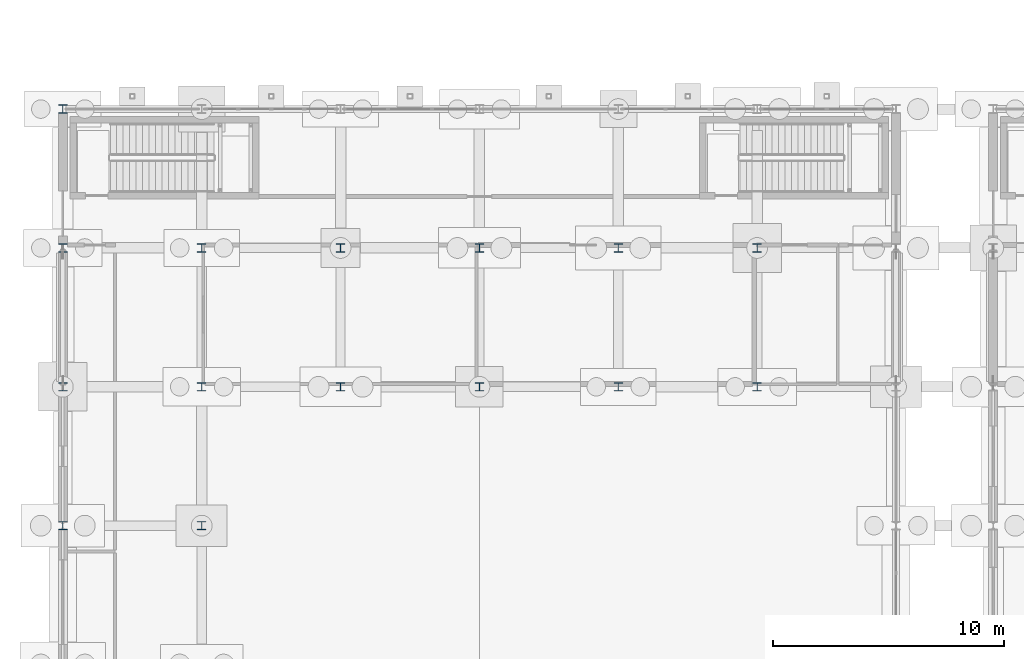
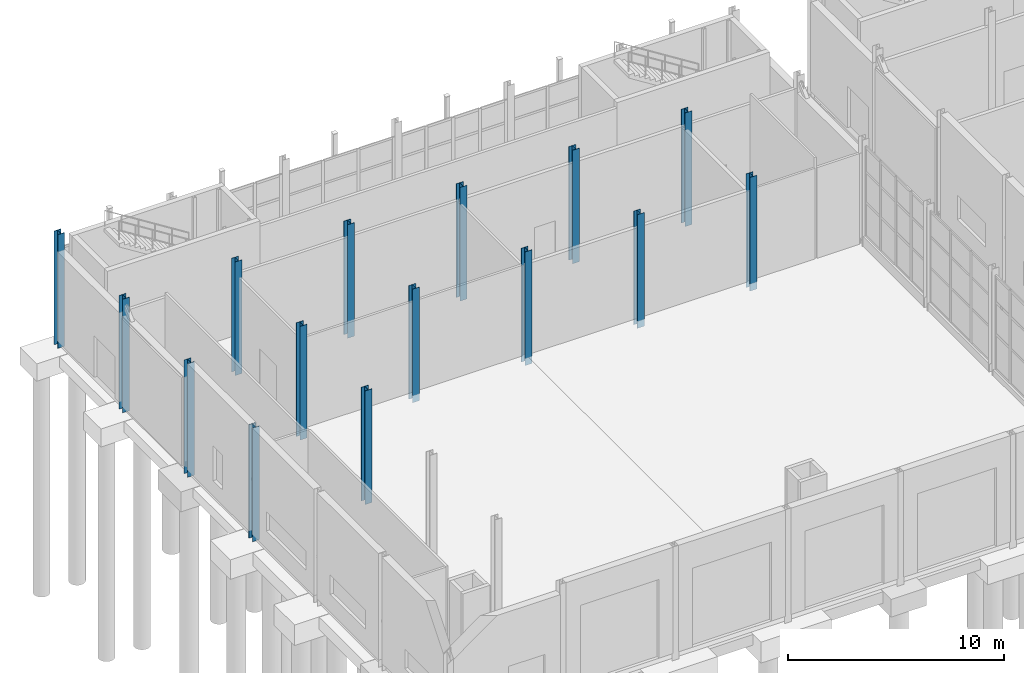
# One storey, part 11 of 120: 15 columns.
"""IFC4 building model written with IfcOpenShell, lengths in metres."""

from ifc_helpers import new_model, si_unit, direction, frame, origin, origin_2d, place, context, subcontext, project, spatial, i_section, extrude, material, material_profile, profile_set, type_object, element, save


model = new_model("IFC4")

# Units and contexts
model_context = context("Model", 3, precision=1e-05, world=origin(), true_north=direction((0.0, 1.0)))
body_context = subcontext(model_context, "Body", "Model", "MODEL_VIEW")
ifc_project = project(units=[si_unit("LENGTHUNIT", "METRE"), si_unit("AREAUNIT", "SQUARE_METRE"), si_unit("VOLUMEUNIT", "CUBIC_METRE"), si_unit("PLANEANGLEUNIT", "RADIAN"), si_unit("MASSUNIT", "GRAM", prefix="KILO")], contexts=[model_context])

# Site, building, storey
site_placement = place(None, origin())
site = spatial("IfcSite", under=ifc_project, at=site_placement, CompositionType="ELEMENT")
building_placement = place(site_placement, origin())
building = spatial("IfcBuilding", under=site, at=building_placement, Name="Siltcreek Boulevard Central Fire Station", CompositionType="ELEMENT")
storey_placement = place(building_placement, origin())
storey = spatial("IfcBuildingStorey", under=building, at=storey_placement, Name="L01", CompositionType="ELEMENT", Elevation=0.0)

# Columns
ifc_material = material(Name="Structural steel ASTM A992 Gr50", Category="steel")
ifc_material_profile = material_profile(ifc_material, i_section(OverallWidth=0.368896484375, OverallDepth=0.35595703125, WebThickness=0.01123046875, FlangeThickness=0.01806640625, at=origin_2d()), Name="W360X134")
ifc_profile_set = profile_set([ifc_material_profile], Name="Structural steel ASTM A992 Gr50")
column_type = type_object("IfcColumnType", Name="COL_W360X134", PredefinedType="COLUMN", material=ifc_profile_set)
for number, where, z_axis, x_axis, name in (
    (1, (1.800048828125, 36.0, -0.409912109375), (0.0, 0.0, 1.0), (1.0, 0.0, 0.0), "L01 structural column COLG-L01-18-360"),
    (2, (1.800048828125, 42.0, -0.409912109375), (0.0, 0.0, 1.0), (1.0, 0.0, 0.0), "L01 structural column COLG-L01-18-420"),
    (3, (1.800048828125, 48.0, -0.409912109375), (0.0, 0.0, 1.0), (1.0, 0.0, 0.0), "L01 structural column COLG-L01-18-480"),
    (4, (1.800048828125, 54.0, -0.409912109375), (0.0, 0.0, 1.0), (1.0, 0.0, 0.0), "L01 structural column COLG-L01-18-540"),
    (5, (7.800048828125, 36.0, -0.409912109375), (0.0, 0.0, 1.0), (1.0, 0.0, 0.0), "L01 structural column COLG-L01-78-360"),
    (6, (7.800048828125, 42.0, -0.409912109375), (0.0, 0.0, 1.0), (1.0, 0.0, 0.0), "L01 structural column COLG-L01-78-420"),
    (7, (7.800048828125, 48.0, -0.409912109375), (0.0, 0.0, 1.0), (1.0, 0.0, 0.0), "L01 structural column COLG-L01-78-480"),
    (8, (13.800048828125, 42.0, -0.409912109375), (0.0, 0.0, 1.0), (1.0, 0.0, 0.0), "L01 structural column COLG-L01-138-420"),
    (9, (13.800048828125, 48.0, -0.409912109375), (0.0, 0.0, 1.0), (1.0, 0.0, 0.0), "L01 structural column COLG-L01-138-480"),
    (10, (19.800048828125, 42.0, -0.409912109375), (0.0, 0.0, 1.0), (1.0, 0.0, 0.0), "L01 structural column COLG-L01-198-420"),
    (11, (19.800048828125, 48.0, -0.409912109375), (0.0, 0.0, 1.0), (1.0, 0.0, 0.0), "L01 structural column COLG-L01-198-480"),
    (12, (25.800048828125, 42.0, -0.409912109375), (0.0, 0.0, 1.0), (1.0, 0.0, 0.0), "L01 structural column COLG-L01-258-420"),
    (13, (25.800048828125, 48.0, -0.409912109375), (0.0, 0.0, 1.0), (1.0, 0.0, 0.0), "L01 structural column COLG-L01-258-480"),
    (14, (31.800048828125, 42.0, -0.409912109375), (0.0, 0.0, 1.0), (1.0, 0.0, 0.0), "L01 structural column COLG-L01-318-420"),
    (15, (31.800048828125, 48.0, -0.409912109375), (0.0, 0.0, 1.0), (1.0, 0.0, 0.0), "L01 structural column COLG-L01-318-480"),
):
    element("IfcColumn", number, at=place(storey_placement, frame(where, z_axis=z_axis, x_axis=x_axis)), inside=storey, type_object=column_type, Name=name, PredefinedType="COLUMN", context=body_context, shape_type="SweptSolid", body=[
        extrude(i_section(OverallWidth=0.368896484375, OverallDepth=0.35595703125, WebThickness=0.01123046875, FlangeThickness=0.01806640625, at=origin_2d()), origin(), (0.0, 0.0, 1.0), 6.409912109375),
    ])

save(model, "model.ifc")
